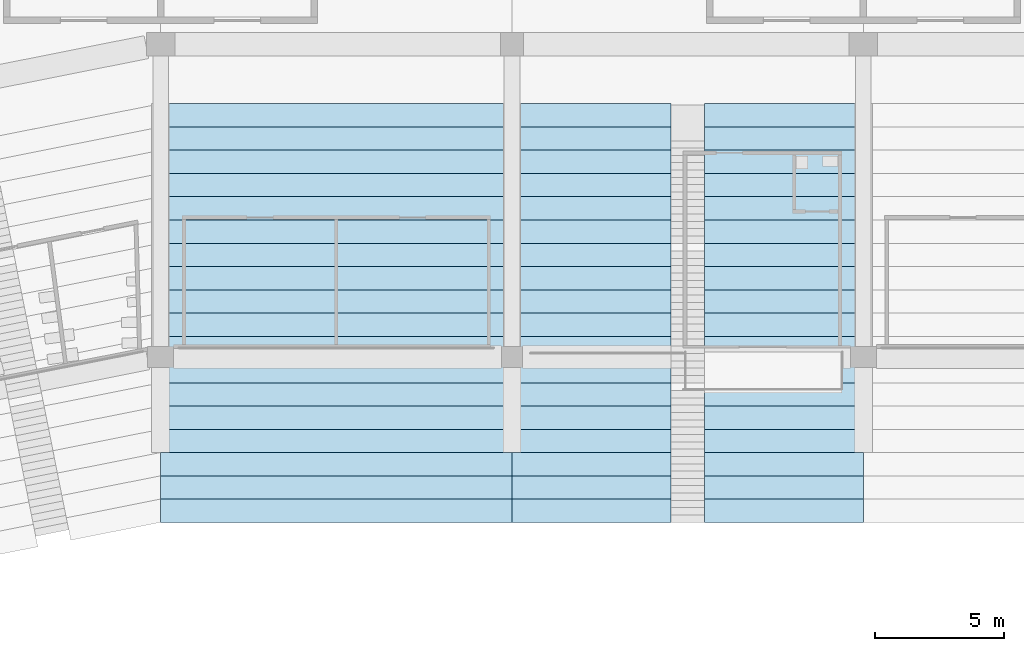
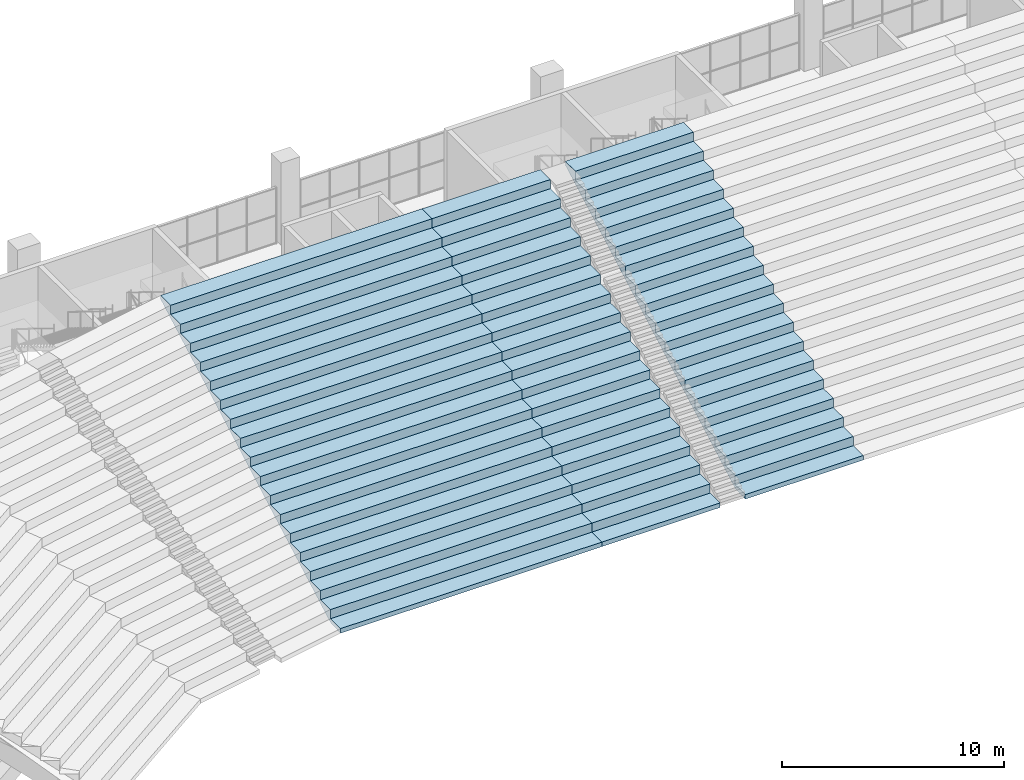
# One storey, part 125 of 249: 2 slabs.
"""IFC4 building model written with IfcOpenShell, lengths in metres."""

from ifc_helpers import new_model, si_unit, direction, frame, origin, place, context, subcontext, project, spatial, faceted_brep, material, layer, layer_set, type_object, element, save


model = new_model("IFC4")

# Units and contexts
model_context = context("Model", 3, precision=1e-05, world=origin(), true_north=direction((0.0, 1.0)))
body_context = subcontext(model_context, "Body", "Model", "MODEL_VIEW")
ifc_project = project(units=[si_unit("LENGTHUNIT", "METRE"), si_unit("AREAUNIT", "SQUARE_METRE"), si_unit("VOLUMEUNIT", "CUBIC_METRE"), si_unit("PLANEANGLEUNIT", "RADIAN"), si_unit("MASSUNIT", "GRAM", prefix="KILO")], contexts=[model_context])

# Site, building, storey
site_placement = place(None, origin())
site = spatial("IfcSite", under=ifc_project, at=site_placement, CompositionType="ELEMENT")
building_placement = place(site_placement, origin())
building = spatial("IfcBuilding", under=site, at=building_placement, Name="Ogive Plaza Stadium", CompositionType="ELEMENT")
storey_placement = place(building_placement, frame((0.0, 0.0, 13.5)))
storey = spatial("IfcBuildingStorey", under=building, at=storey_placement, Name="L03", CompositionType="ELEMENT", Elevation=13.5)

# Slabs
ifc_material = material(Name="Concrete C45/55 precast", Category="concrete")
ifc_layer = layer(ifc_material, 0.699951171875)
ifc_layer_set = layer_set([ifc_layer], Name="Concrete C45/55 precast")
slab_type = type_object("IfcSlabType", Name="Seating tier UT 700", PredefinedType="USERDEFINED", material=ifc_layer_set)
slab_1_placement = place(storey_placement, origin())
element("IfcSlab", 1, at=slab_1_placement, inside=storey, type_object=slab_type, Name="Stand UT B32", ObjectType="SEATING TIER", PredefinedType="USERDEFINED", context=body_context, shape_type="Brep", body=[
    faceted_brep([(-20.39990234375, 74.0, 0.5), (-20.39990234375, 74.89990234375, 0.5), (-34.0, 74.89990234375, 0.5), (-34.0, 74.0, 0.5), (-20.39990234375, 74.89990234375, 0.300048828125), (-34.0, 74.0, 0.25), (-34.0, 74.89990234375, 0.300048828125), (-20.39990234375, 74.0, 0.25), (-20.39990234375, 74.89990234375, 1.0), (-34.0, 74.89990234375, 1.0), (-34.0, 75.800048828125, 1.0), (-34.0, 75.800048828125, 0.800048828125), (-34.0, 75.800048828125, 1.5), (-34.0, 76.699951171875, 1.5), (-34.0, 76.699951171875, 1.300048828125), (-34.0, 76.699951171875, 2.0), (-34.0, 77.60009765625, 2.0), (-34.0, 77.60009765625, 1.800048828125), (-34.0, 77.60009765625, 2.5), (-34.0, 78.5, 2.5), (-34.0, 78.5, 2.300048828125), (-34.0, 78.5, 3.0), (-34.0, 79.39990234375, 3.0), (-34.0, 79.39990234375, 2.800048828125), (-34.0, 79.39990234375, 3.5), (-34.0, 80.300048828125, 3.5), (-34.0, 80.300048828125, 3.300048828125), (-34.0, 80.300048828125, 4.0), (-34.0, 81.199951171875, 4.0), (-34.0, 81.199951171875, 3.800048828125), (-34.0, 81.199951171875, 4.5), (-34.0, 82.10009765625, 4.5), (-34.0, 82.10009765625, 4.300048828125), (-34.0, 82.10009765625, 5.0), (-34.0, 83.0, 5.0), (-34.0, 83.0, 4.800048828125), (-34.0, 83.0, 5.5), (-34.0, 83.89990234375, 5.5), (-34.0, 83.89990234375, 5.300048828125), (-34.0, 83.89990234375, 6.0), (-34.0, 84.800048828125, 6.0), (-34.0, 84.800048828125, 5.800048828125), (-34.0, 84.800048828125, 6.5), (-34.0, 85.699951171875, 6.5), (-34.0, 85.699951171875, 6.300048828125), (-34.0, 85.699951171875, 7.0), (-34.0, 86.60009765625, 7.0), (-34.0, 86.60009765625, 6.800048828125), (-34.0, 86.60009765625, 7.5), (-34.0, 87.5, 7.5), (-34.0, 87.5, 7.300048828125), (-34.0, 87.5, 8.0), (-34.0, 88.39990234375, 8.0), (-34.0, 88.39990234375, 7.800048828125), (-34.0, 88.39990234375, 8.5), (-34.0, 89.300048828125, 8.5), (-34.0, 89.300048828125, 8.300048828125), (-34.0, 89.300048828125, 9.0), (-34.0, 90.199951171875, 9.0), (-34.0, 90.199951171875, 8.800048828125), (-20.39990234375, 75.800048828125, 1.0), (-20.39990234375, 75.800048828125, 0.800048828125), (-20.39990234375, 76.699951171875, 1.5), (-20.39990234375, 75.800048828125, 1.5), (-20.39990234375, 76.699951171875, 1.300048828125), (-20.39990234375, 77.60009765625, 2.0), (-20.39990234375, 76.699951171875, 2.0), (-20.39990234375, 77.60009765625, 1.800048828125), (-20.39990234375, 78.5, 2.5), (-20.39990234375, 77.60009765625, 2.5), (-20.39990234375, 78.5, 2.300048828125), (-20.39990234375, 79.39990234375, 3.0), (-20.39990234375, 78.5, 3.0), (-20.39990234375, 79.39990234375, 2.800048828125), (-20.39990234375, 80.300048828125, 3.5), (-20.39990234375, 79.39990234375, 3.5), (-20.39990234375, 80.300048828125, 3.300048828125), (-20.39990234375, 81.199951171875, 4.0), (-20.39990234375, 80.300048828125, 4.0), (-20.39990234375, 81.199951171875, 3.800048828125), (-20.39990234375, 82.10009765625, 4.5), (-20.39990234375, 81.199951171875, 4.5), (-20.39990234375, 82.10009765625, 4.300048828125), (-20.39990234375, 83.0, 5.0), (-20.39990234375, 82.10009765625, 5.0), (-20.39990234375, 83.0, 4.800048828125), (-20.39990234375, 83.89990234375, 5.5), (-20.39990234375, 83.0, 5.5), (-20.39990234375, 83.89990234375, 5.300048828125), (-20.39990234375, 84.800048828125, 6.0), (-20.39990234375, 83.89990234375, 6.0), (-20.39990234375, 84.800048828125, 5.800048828125), (-20.39990234375, 85.699951171875, 6.5), (-20.39990234375, 84.800048828125, 6.5), (-20.39990234375, 85.699951171875, 6.300048828125), (-20.39990234375, 86.60009765625, 7.0), (-20.39990234375, 85.699951171875, 7.0), (-20.39990234375, 86.60009765625, 6.800048828125), (-20.39990234375, 87.5, 7.5), (-20.39990234375, 86.60009765625, 7.5), (-20.39990234375, 87.5, 7.300048828125), (-20.39990234375, 88.39990234375, 8.0), (-20.39990234375, 87.5, 8.0), (-20.39990234375, 88.39990234375, 7.800048828125), (-20.39990234375, 89.300048828125, 8.5), (-20.39990234375, 88.39990234375, 8.5), (-20.39990234375, 89.300048828125, 8.300048828125), (-20.39990234375, 90.199951171875, 9.0), (-20.39990234375, 89.300048828125, 9.0), (-20.39990234375, 90.199951171875, 8.800048828125)], [[[0, 1, 2]], [[2, 3, 0]], [[4, 5, 6]], [[4, 7, 5]], [[1, 8, 9]], [[9, 2, 1]], [[6, 5, 3]], [[6, 3, 2]], [[2, 9, 10]], [[10, 11, 6]], [[6, 2, 10]], [[10, 12, 13]], [[13, 14, 11]], [[11, 10, 13]], [[13, 15, 16]], [[16, 17, 14]], [[14, 13, 16]], [[16, 18, 19]], [[19, 20, 17]], [[17, 16, 19]], [[19, 21, 22]], [[22, 23, 20]], [[20, 19, 22]], [[22, 24, 25]], [[25, 26, 23]], [[23, 22, 25]], [[25, 27, 28]], [[28, 29, 26]], [[26, 25, 28]], [[28, 30, 31]], [[31, 32, 29]], [[29, 28, 31]], [[31, 33, 34]], [[34, 35, 32]], [[32, 31, 34]], [[34, 36, 37]], [[37, 38, 35]], [[35, 34, 37]], [[37, 39, 40]], [[40, 41, 38]], [[38, 37, 40]], [[40, 42, 43]], [[43, 44, 41]], [[41, 40, 43]], [[43, 45, 46]], [[46, 47, 44]], [[44, 43, 46]], [[46, 48, 49]], [[49, 50, 47]], [[47, 46, 49]], [[49, 51, 52]], [[52, 53, 50]], [[50, 49, 52]], [[52, 54, 55]], [[55, 56, 53]], [[53, 52, 55]], [[55, 57, 58]], [[58, 59, 56]], [[56, 55, 58]], [[3, 5, 7]], [[7, 0, 3]], [[0, 7, 4]], [[4, 1, 0]], [[60, 8, 1]], [[1, 4, 61]], [[61, 60, 1]], [[62, 63, 60]], [[60, 61, 64]], [[64, 62, 60]], [[65, 66, 62]], [[62, 64, 67]], [[67, 65, 62]], [[68, 69, 65]], [[65, 67, 70]], [[70, 68, 65]], [[71, 72, 68]], [[68, 70, 73]], [[73, 71, 68]], [[74, 75, 71]], [[71, 73, 76]], [[76, 74, 71]], [[77, 78, 74]], [[74, 76, 79]], [[79, 77, 74]], [[80, 81, 77]], [[77, 79, 82]], [[82, 80, 77]], [[83, 84, 80]], [[80, 82, 85]], [[85, 83, 80]], [[86, 87, 83]], [[83, 85, 88]], [[88, 86, 83]], [[89, 90, 86]], [[86, 88, 91]], [[91, 89, 86]], [[92, 93, 89]], [[89, 91, 94]], [[94, 92, 89]], [[95, 96, 92]], [[92, 94, 97]], [[97, 95, 92]], [[98, 99, 95]], [[95, 97, 100]], [[100, 98, 95]], [[101, 102, 98]], [[98, 100, 103]], [[103, 101, 98]], [[104, 105, 101]], [[101, 103, 106]], [[106, 104, 101]], [[107, 108, 104]], [[104, 106, 109]], [[109, 107, 104]], [[8, 60, 10]], [[10, 9, 8]], [[61, 6, 11]], [[61, 4, 6]], [[64, 11, 14]], [[64, 61, 11]], [[67, 14, 17]], [[67, 64, 14]], [[70, 17, 20]], [[70, 67, 17]], [[73, 20, 23]], [[73, 70, 20]], [[76, 23, 26]], [[76, 73, 23]], [[79, 26, 29]], [[79, 76, 26]], [[82, 29, 32]], [[82, 79, 29]], [[85, 32, 35]], [[85, 82, 32]], [[88, 35, 38]], [[88, 85, 35]], [[91, 38, 41]], [[91, 88, 38]], [[94, 41, 44]], [[94, 91, 41]], [[97, 44, 47]], [[97, 94, 44]], [[100, 47, 50]], [[100, 97, 47]], [[60, 63, 12]], [[12, 10, 60]], [[63, 62, 13]], [[13, 12, 63]], [[62, 66, 15]], [[15, 13, 62]], [[66, 65, 16]], [[16, 15, 66]], [[65, 69, 18]], [[18, 16, 65]], [[69, 68, 19]], [[19, 18, 69]], [[68, 72, 21]], [[21, 19, 68]], [[72, 71, 22]], [[22, 21, 72]], [[71, 75, 24]], [[24, 22, 71]], [[75, 74, 25]], [[25, 24, 75]], [[74, 78, 27]], [[27, 25, 74]], [[78, 77, 28]], [[28, 27, 78]], [[77, 81, 30]], [[30, 28, 77]], [[81, 80, 31]], [[31, 30, 81]], [[80, 84, 33]], [[33, 31, 80]], [[84, 83, 34]], [[34, 33, 84]], [[83, 87, 36]], [[36, 34, 83]], [[87, 86, 37]], [[37, 36, 87]], [[86, 90, 39]], [[39, 37, 86]], [[90, 89, 40]], [[40, 39, 90]], [[89, 93, 42]], [[42, 40, 89]], [[93, 92, 43]], [[43, 42, 93]], [[92, 96, 45]], [[45, 43, 92]], [[96, 95, 46]], [[46, 45, 96]], [[95, 99, 48]], [[48, 46, 95]], [[99, 98, 49]], [[49, 48, 99]], [[98, 102, 51]], [[51, 49, 98]], [[102, 101, 52]], [[52, 51, 102]], [[103, 50, 53]], [[103, 100, 50]], [[106, 53, 56]], [[106, 103, 53]], [[109, 56, 59]], [[109, 106, 56]], [[101, 105, 54]], [[54, 52, 101]], [[105, 104, 55]], [[55, 54, 105]], [[104, 108, 57]], [[57, 55, 104]], [[108, 107, 58]], [[58, 57, 108]], [[107, 109, 59]], [[59, 58, 107]]]),
])
slab_2_placement = place(storey_placement, origin())
element("IfcSlab", 2, at=slab_2_placement, inside=storey, type_object=slab_type, Name="Stand UT B33", ObjectType="SEATING TIER", PredefinedType="USERDEFINED", context=body_context, shape_type="Brep", body=[
    faceted_brep([(-14.25, 74.0, 0.5), (-14.25, 74.89990234375, 0.5), (-20.39990234375, 74.89990234375, 0.5), (-20.39990234375, 74.0, 0.5), (-6.800048828125, 74.0, 0.5), (-6.800048828125, 74.89990234375, 0.5), (-12.949951171875, 74.89990234375, 0.5), (-12.949951171875, 74.0, 0.5), (-14.25, 74.89990234375, 0.300048828125), (-20.39990234375, 74.0, 0.25), (-20.39990234375, 74.89990234375, 0.300048828125), (-14.25, 74.0, 0.25), (-6.800048828125, 74.89990234375, 0.300048828125), (-12.949951171875, 74.0, 0.25), (-12.949951171875, 74.89990234375, 0.300048828125), (-6.800048828125, 74.0, 0.25), (-14.25, 74.89990234375, 1.0), (-20.39990234375, 74.89990234375, 1.0), (-6.800048828125, 74.89990234375, 1.0), (-12.949951171875, 74.89990234375, 1.0), (-20.39990234375, 75.800048828125, 1.0), (-20.39990234375, 75.800048828125, 0.800048828125), (-20.39990234375, 75.800048828125, 1.5), (-20.39990234375, 76.699951171875, 1.5), (-20.39990234375, 76.699951171875, 1.300048828125), (-20.39990234375, 76.699951171875, 2.0), (-20.39990234375, 77.60009765625, 2.0), (-20.39990234375, 77.60009765625, 1.800048828125), (-20.39990234375, 77.60009765625, 2.5), (-20.39990234375, 78.5, 2.5), (-20.39990234375, 78.5, 2.300048828125), (-20.39990234375, 78.5, 3.0), (-20.39990234375, 79.39990234375, 3.0), (-20.39990234375, 79.39990234375, 2.800048828125), (-20.39990234375, 79.39990234375, 3.5), (-20.39990234375, 80.300048828125, 3.5), (-20.39990234375, 80.300048828125, 3.300048828125), (-20.39990234375, 80.300048828125, 4.0), (-20.39990234375, 81.199951171875, 4.0), (-20.39990234375, 81.199951171875, 3.800048828125), (-20.39990234375, 81.199951171875, 4.5), (-20.39990234375, 82.10009765625, 4.5), (-20.39990234375, 82.10009765625, 4.300048828125), (-20.39990234375, 82.10009765625, 5.0), (-20.39990234375, 83.0, 5.0), (-20.39990234375, 83.0, 4.800048828125), (-20.39990234375, 83.0, 5.5), (-20.39990234375, 83.89990234375, 5.5), (-20.39990234375, 83.89990234375, 5.300048828125), (-20.39990234375, 83.89990234375, 6.0), (-20.39990234375, 84.800048828125, 6.0), (-20.39990234375, 84.800048828125, 5.800048828125), (-20.39990234375, 84.800048828125, 6.5), (-20.39990234375, 85.699951171875, 6.5), (-20.39990234375, 85.699951171875, 6.300048828125), (-20.39990234375, 85.699951171875, 7.0), (-20.39990234375, 86.60009765625, 7.0), (-20.39990234375, 86.60009765625, 6.800048828125), (-20.39990234375, 86.60009765625, 7.5), (-20.39990234375, 87.5, 7.5), (-20.39990234375, 87.5, 7.300048828125), (-20.39990234375, 87.5, 8.0), (-20.39990234375, 88.39990234375, 8.0), (-20.39990234375, 88.39990234375, 7.800048828125), (-20.39990234375, 88.39990234375, 8.5), (-20.39990234375, 89.300048828125, 8.5), (-20.39990234375, 89.300048828125, 8.300048828125), (-20.39990234375, 89.300048828125, 9.0), (-20.39990234375, 90.199951171875, 9.0), (-20.39990234375, 90.199951171875, 8.800048828125), (-14.25, 75.800048828125, 1.0), (-14.25, 75.800048828125, 0.800048828125), (-14.25, 76.699951171875, 1.5), (-14.25, 75.800048828125, 1.5), (-14.25, 76.699951171875, 1.300048828125), (-14.25, 77.60009765625, 2.0), (-14.25, 76.699951171875, 2.0), (-14.25, 77.60009765625, 1.800048828125), (-14.25, 78.5, 2.5), (-14.25, 77.60009765625, 2.5), (-14.25, 78.5, 2.300048828125), (-14.25, 79.39990234375, 3.0), (-14.25, 78.5, 3.0), (-14.25, 79.39990234375, 2.800048828125), (-14.25, 80.300048828125, 3.5), (-14.25, 79.39990234375, 3.5), (-14.25, 80.300048828125, 3.300048828125), (-14.25, 81.199951171875, 4.0), (-14.25, 80.300048828125, 4.0), (-14.25, 81.199951171875, 3.800048828125), (-14.25, 82.10009765625, 4.5), (-14.25, 81.199951171875, 4.5), (-14.25, 82.10009765625, 4.300048828125), (-14.25, 83.0, 5.0), (-14.25, 82.10009765625, 5.0), (-14.25, 83.0, 4.800048828125), (-14.25, 83.89990234375, 5.5), (-14.25, 83.0, 5.5), (-14.25, 83.89990234375, 5.300048828125), (-14.25, 84.800048828125, 6.0), (-14.25, 83.89990234375, 6.0), (-14.25, 84.800048828125, 5.800048828125), (-14.25, 85.699951171875, 6.5), (-14.25, 84.800048828125, 6.5), (-14.25, 85.699951171875, 6.300048828125), (-14.25, 86.60009765625, 7.0), (-14.25, 85.699951171875, 7.0), (-14.25, 86.60009765625, 6.800048828125), (-14.25, 87.5, 7.5), (-14.25, 86.60009765625, 7.5), (-14.25, 87.5, 7.300048828125), (-14.25, 88.39990234375, 8.0), (-14.25, 87.5, 8.0), (-14.25, 88.39990234375, 7.800048828125), (-14.25, 89.300048828125, 8.5), (-14.25, 88.39990234375, 8.5), (-14.25, 89.300048828125, 8.300048828125), (-14.25, 90.199951171875, 9.0), (-14.25, 89.300048828125, 9.0), (-14.25, 90.199951171875, 8.800048828125), (-12.949951171875, 75.800048828125, 1.0), (-12.949951171875, 75.800048828125, 0.800048828125), (-12.949951171875, 75.800048828125, 1.5), (-12.949951171875, 76.699951171875, 1.5), (-12.949951171875, 76.699951171875, 1.300048828125), (-12.949951171875, 76.699951171875, 2.0), (-12.949951171875, 77.60009765625, 2.0), (-12.949951171875, 77.60009765625, 1.800048828125), (-12.949951171875, 77.60009765625, 2.5), (-12.949951171875, 78.5, 2.5), (-12.949951171875, 78.5, 2.300048828125), (-12.949951171875, 78.5, 3.0), (-12.949951171875, 79.39990234375, 3.0), (-12.949951171875, 79.39990234375, 2.800048828125), (-12.949951171875, 79.39990234375, 3.5), (-12.949951171875, 80.300048828125, 3.5), (-12.949951171875, 80.300048828125, 3.300048828125), (-12.949951171875, 80.300048828125, 4.0), (-12.949951171875, 81.199951171875, 4.0), (-12.949951171875, 81.199951171875, 3.800048828125), (-12.949951171875, 81.199951171875, 4.5), (-12.949951171875, 82.10009765625, 4.5), (-12.949951171875, 82.10009765625, 4.300048828125), (-12.949951171875, 82.10009765625, 5.0), (-12.949951171875, 83.0, 5.0), (-12.949951171875, 83.0, 4.800048828125), (-12.949951171875, 83.0, 5.5), (-12.949951171875, 83.89990234375, 5.5), (-12.949951171875, 83.89990234375, 5.300048828125), (-12.949951171875, 83.89990234375, 6.0), (-12.949951171875, 84.800048828125, 6.0), (-12.949951171875, 84.800048828125, 5.800048828125), (-12.949951171875, 84.800048828125, 6.5), (-12.949951171875, 85.699951171875, 6.5), (-12.949951171875, 85.699951171875, 6.300048828125), (-12.949951171875, 85.699951171875, 7.0), (-12.949951171875, 86.60009765625, 7.0), (-12.949951171875, 86.60009765625, 6.800048828125), (-12.949951171875, 86.60009765625, 7.5), (-12.949951171875, 87.5, 7.5), (-12.949951171875, 87.5, 7.300048828125), (-12.949951171875, 87.5, 8.0), (-12.949951171875, 88.39990234375, 8.0), (-12.949951171875, 88.39990234375, 7.800048828125), (-12.949951171875, 88.39990234375, 8.5), (-12.949951171875, 89.300048828125, 8.5), (-12.949951171875, 89.300048828125, 8.300048828125), (-12.949951171875, 89.300048828125, 9.0), (-12.949951171875, 90.199951171875, 9.0), (-12.949951171875, 90.199951171875, 8.800048828125), (-6.800048828125, 75.800048828125, 1.0), (-6.800048828125, 75.800048828125, 0.800048828125), (-6.800048828125, 76.699951171875, 1.5), (-6.800048828125, 75.800048828125, 1.5), (-6.800048828125, 76.699951171875, 1.300048828125), (-6.800048828125, 77.60009765625, 2.0), (-6.800048828125, 76.699951171875, 2.0), (-6.800048828125, 77.60009765625, 1.800048828125), (-6.800048828125, 78.5, 2.5), (-6.800048828125, 77.60009765625, 2.5), (-6.800048828125, 78.5, 2.300048828125), (-6.800048828125, 79.39990234375, 3.0), (-6.800048828125, 78.5, 3.0), (-6.800048828125, 79.39990234375, 2.800048828125), (-6.800048828125, 80.300048828125, 3.5), (-6.800048828125, 79.39990234375, 3.5), (-6.800048828125, 80.300048828125, 3.300048828125), (-6.800048828125, 81.199951171875, 4.0), (-6.800048828125, 80.300048828125, 4.0), (-6.800048828125, 81.199951171875, 3.800048828125), (-6.800048828125, 82.10009765625, 4.5), (-6.800048828125, 81.199951171875, 4.5), (-6.800048828125, 82.10009765625, 4.300048828125), (-6.800048828125, 83.0, 5.0), (-6.800048828125, 82.10009765625, 5.0), (-6.800048828125, 83.0, 4.800048828125), (-6.800048828125, 83.89990234375, 5.5), (-6.800048828125, 83.0, 5.5), (-6.800048828125, 83.89990234375, 5.300048828125), (-6.800048828125, 84.800048828125, 6.0), (-6.800048828125, 83.89990234375, 6.0), (-6.800048828125, 84.800048828125, 5.800048828125), (-6.800048828125, 85.699951171875, 6.5), (-6.800048828125, 84.800048828125, 6.5), (-6.800048828125, 85.699951171875, 6.300048828125), (-6.800048828125, 86.60009765625, 7.0), (-6.800048828125, 85.699951171875, 7.0), (-6.800048828125, 86.60009765625, 6.800048828125), (-6.800048828125, 87.5, 7.5), (-6.800048828125, 86.60009765625, 7.5), (-6.800048828125, 87.5, 7.300048828125), (-6.800048828125, 88.39990234375, 8.0), (-6.800048828125, 87.5, 8.0), (-6.800048828125, 88.39990234375, 7.800048828125), (-6.800048828125, 89.300048828125, 8.5), (-6.800048828125, 88.39990234375, 8.5), (-6.800048828125, 89.300048828125, 8.300048828125), (-6.800048828125, 90.199951171875, 9.0), (-6.800048828125, 89.300048828125, 9.0), (-6.800048828125, 90.199951171875, 8.800048828125)], [[[0, 1, 2]], [[2, 3, 0]], [[4, 5, 6]], [[6, 7, 4]], [[8, 9, 10]], [[8, 11, 9]], [[12, 13, 14]], [[12, 15, 13]], [[1, 16, 17]], [[17, 2, 1]], [[5, 18, 19]], [[19, 6, 5]], [[10, 9, 3]], [[10, 3, 2]], [[2, 17, 20]], [[20, 21, 10]], [[10, 2, 20]], [[20, 22, 23]], [[23, 24, 21]], [[21, 20, 23]], [[23, 25, 26]], [[26, 27, 24]], [[24, 23, 26]], [[26, 28, 29]], [[29, 30, 27]], [[27, 26, 29]], [[29, 31, 32]], [[32, 33, 30]], [[30, 29, 32]], [[32, 34, 35]], [[35, 36, 33]], [[33, 32, 35]], [[35, 37, 38]], [[38, 39, 36]], [[36, 35, 38]], [[38, 40, 41]], [[41, 42, 39]], [[39, 38, 41]], [[41, 43, 44]], [[44, 45, 42]], [[42, 41, 44]], [[44, 46, 47]], [[47, 48, 45]], [[45, 44, 47]], [[47, 49, 50]], [[50, 51, 48]], [[48, 47, 50]], [[50, 52, 53]], [[53, 54, 51]], [[51, 50, 53]], [[53, 55, 56]], [[56, 57, 54]], [[54, 53, 56]], [[56, 58, 59]], [[59, 60, 57]], [[57, 56, 59]], [[59, 61, 62]], [[62, 63, 60]], [[60, 59, 62]], [[62, 64, 65]], [[65, 66, 63]], [[63, 62, 65]], [[65, 67, 68]], [[68, 69, 66]], [[66, 65, 68]], [[3, 9, 11]], [[11, 0, 3]], [[7, 13, 15]], [[15, 4, 7]], [[0, 11, 8]], [[8, 1, 0]], [[70, 16, 1]], [[1, 8, 71]], [[71, 70, 1]], [[72, 73, 70]], [[70, 71, 74]], [[74, 72, 70]], [[75, 76, 72]], [[72, 74, 77]], [[77, 75, 72]], [[78, 79, 75]], [[75, 77, 80]], [[80, 78, 75]], [[81, 82, 78]], [[78, 80, 83]], [[83, 81, 78]], [[84, 85, 81]], [[81, 83, 86]], [[86, 84, 81]], [[87, 88, 84]], [[84, 86, 89]], [[89, 87, 84]], [[90, 91, 87]], [[87, 89, 92]], [[92, 90, 87]], [[93, 94, 90]], [[90, 92, 95]], [[95, 93, 90]], [[96, 97, 93]], [[93, 95, 98]], [[98, 96, 93]], [[99, 100, 96]], [[96, 98, 101]], [[101, 99, 96]], [[102, 103, 99]], [[99, 101, 104]], [[104, 102, 99]], [[105, 106, 102]], [[102, 104, 107]], [[107, 105, 102]], [[108, 109, 105]], [[105, 107, 110]], [[110, 108, 105]], [[111, 112, 108]], [[108, 110, 113]], [[113, 111, 108]], [[114, 115, 111]], [[111, 113, 116]], [[116, 114, 111]], [[117, 118, 114]], [[114, 116, 119]], [[119, 117, 114]], [[14, 13, 7]], [[14, 7, 6]], [[6, 19, 120]], [[120, 121, 14]], [[14, 6, 120]], [[120, 122, 123]], [[123, 124, 121]], [[121, 120, 123]], [[123, 125, 126]], [[126, 127, 124]], [[124, 123, 126]], [[126, 128, 129]], [[129, 130, 127]], [[127, 126, 129]], [[129, 131, 132]], [[132, 133, 130]], [[130, 129, 132]], [[132, 134, 135]], [[135, 136, 133]], [[133, 132, 135]], [[135, 137, 138]], [[138, 139, 136]], [[136, 135, 138]], [[138, 140, 141]], [[141, 142, 139]], [[139, 138, 141]], [[141, 143, 144]], [[144, 145, 142]], [[142, 141, 144]], [[144, 146, 147]], [[147, 148, 145]], [[145, 144, 147]], [[147, 149, 150]], [[150, 151, 148]], [[148, 147, 150]], [[150, 152, 153]], [[153, 154, 151]], [[151, 150, 153]], [[153, 155, 156]], [[156, 157, 154]], [[154, 153, 156]], [[156, 158, 159]], [[159, 160, 157]], [[157, 156, 159]], [[159, 161, 162]], [[162, 163, 160]], [[160, 159, 162]], [[162, 164, 165]], [[165, 166, 163]], [[163, 162, 165]], [[165, 167, 168]], [[168, 169, 166]], [[166, 165, 168]], [[4, 15, 12]], [[12, 5, 4]], [[170, 18, 5]], [[5, 12, 171]], [[171, 170, 5]], [[172, 173, 170]], [[170, 171, 174]], [[174, 172, 170]], [[175, 176, 172]], [[172, 174, 177]], [[177, 175, 172]], [[178, 179, 175]], [[175, 177, 180]], [[180, 178, 175]], [[181, 182, 178]], [[178, 180, 183]], [[183, 181, 178]], [[184, 185, 181]], [[181, 183, 186]], [[186, 184, 181]], [[187, 188, 184]], [[184, 186, 189]], [[189, 187, 184]], [[190, 191, 187]], [[187, 189, 192]], [[192, 190, 187]], [[193, 194, 190]], [[190, 192, 195]], [[195, 193, 190]], [[196, 197, 193]], [[193, 195, 198]], [[198, 196, 193]], [[199, 200, 196]], [[196, 198, 201]], [[201, 199, 196]], [[202, 203, 199]], [[199, 201, 204]], [[204, 202, 199]], [[205, 206, 202]], [[202, 204, 207]], [[207, 205, 202]], [[208, 209, 205]], [[205, 207, 210]], [[210, 208, 205]], [[211, 212, 208]], [[208, 210, 213]], [[213, 211, 208]], [[214, 215, 211]], [[211, 213, 216]], [[216, 214, 211]], [[217, 218, 214]], [[214, 216, 219]], [[219, 217, 214]], [[16, 70, 20]], [[20, 17, 16]], [[18, 170, 120]], [[120, 19, 18]], [[71, 10, 21]], [[71, 8, 10]], [[171, 14, 121]], [[171, 12, 14]], [[74, 21, 24]], [[74, 71, 21]], [[174, 121, 124]], [[174, 171, 121]], [[77, 24, 27]], [[77, 74, 24]], [[177, 124, 127]], [[177, 174, 124]], [[80, 27, 30]], [[80, 77, 27]], [[180, 127, 130]], [[180, 177, 127]], [[83, 30, 33]], [[83, 80, 30]], [[183, 130, 133]], [[183, 180, 130]], [[86, 33, 36]], [[86, 83, 33]], [[186, 133, 136]], [[186, 183, 133]], [[89, 36, 39]], [[89, 86, 36]], [[189, 136, 139]], [[189, 186, 136]], [[92, 39, 42]], [[92, 89, 39]], [[192, 139, 142]], [[192, 189, 139]], [[95, 42, 45]], [[95, 92, 42]], [[195, 142, 145]], [[195, 192, 142]], [[98, 45, 48]], [[98, 95, 45]], [[198, 145, 148]], [[198, 195, 145]], [[101, 48, 51]], [[101, 98, 48]], [[201, 148, 151]], [[201, 198, 148]], [[104, 51, 54]], [[104, 101, 51]], [[204, 151, 154]], [[204, 201, 151]], [[107, 54, 57]], [[107, 104, 54]], [[207, 154, 157]], [[207, 204, 154]], [[110, 57, 60]], [[110, 107, 57]], [[210, 157, 160]], [[210, 207, 157]], [[70, 73, 22]], [[22, 20, 70]], [[170, 173, 122]], [[122, 120, 170]], [[73, 72, 23]], [[23, 22, 73]], [[173, 172, 123]], [[123, 122, 173]], [[72, 76, 25]], [[25, 23, 72]], [[172, 176, 125]], [[125, 123, 172]], [[76, 75, 26]], [[26, 25, 76]], [[176, 175, 126]], [[126, 125, 176]], [[75, 79, 28]], [[28, 26, 75]], [[175, 179, 128]], [[128, 126, 175]], [[79, 78, 29]], [[29, 28, 79]], [[179, 178, 129]], [[129, 128, 179]], [[78, 82, 31]], [[31, 29, 78]], [[178, 182, 131]], [[131, 129, 178]], [[82, 81, 32]], [[32, 31, 82]], [[182, 181, 132]], [[132, 131, 182]], [[81, 85, 34]], [[34, 32, 81]], [[181, 185, 134]], [[134, 132, 181]], [[85, 84, 35]], [[35, 34, 85]], [[185, 184, 135]], [[135, 134, 185]], [[84, 88, 37]], [[37, 35, 84]], [[184, 188, 137]], [[137, 135, 184]], [[88, 87, 38]], [[38, 37, 88]], [[188, 187, 138]], [[138, 137, 188]], [[87, 91, 40]], [[40, 38, 87]], [[187, 191, 140]], [[140, 138, 187]], [[91, 90, 41]], [[41, 40, 91]], [[191, 190, 141]], [[141, 140, 191]], [[90, 94, 43]], [[43, 41, 90]], [[190, 194, 143]], [[143, 141, 190]], [[94, 93, 44]], [[44, 43, 94]], [[194, 193, 144]], [[144, 143, 194]], [[93, 97, 46]], [[46, 44, 93]], [[193, 197, 146]], [[146, 144, 193]], [[97, 96, 47]], [[47, 46, 97]], [[197, 196, 147]], [[147, 146, 197]], [[96, 100, 49]], [[49, 47, 96]], [[196, 200, 149]], [[149, 147, 196]], [[100, 99, 50]], [[50, 49, 100]], [[200, 199, 150]], [[150, 149, 200]], [[99, 103, 52]], [[52, 50, 99]], [[199, 203, 152]], [[152, 150, 199]], [[103, 102, 53]], [[53, 52, 103]], [[203, 202, 153]], [[153, 152, 203]], [[102, 106, 55]], [[55, 53, 102]], [[202, 206, 155]], [[155, 153, 202]], [[106, 105, 56]], [[56, 55, 106]], [[206, 205, 156]], [[156, 155, 206]], [[105, 109, 58]], [[58, 56, 105]], [[205, 209, 158]], [[158, 156, 205]], [[109, 108, 59]], [[59, 58, 109]], [[209, 208, 159]], [[159, 158, 209]], [[108, 112, 61]], [[61, 59, 108]], [[208, 212, 161]], [[161, 159, 208]], [[112, 111, 62]], [[62, 61, 112]], [[212, 211, 162]], [[162, 161, 212]], [[113, 60, 63]], [[113, 110, 60]], [[213, 160, 163]], [[213, 210, 160]], [[116, 63, 66]], [[116, 113, 63]], [[216, 163, 166]], [[216, 213, 163]], [[119, 66, 69]], [[119, 116, 66]], [[219, 166, 169]], [[219, 216, 166]], [[111, 115, 64]], [[64, 62, 111]], [[211, 215, 164]], [[164, 162, 211]], [[115, 114, 65]], [[65, 64, 115]], [[215, 214, 165]], [[165, 164, 215]], [[114, 118, 67]], [[67, 65, 114]], [[214, 218, 167]], [[167, 165, 214]], [[118, 117, 68]], [[68, 67, 118]], [[218, 217, 168]], [[168, 167, 218]], [[117, 119, 69]], [[69, 68, 117]], [[217, 219, 169]], [[169, 168, 217]]]),
])

save(model, "model.ifc")
